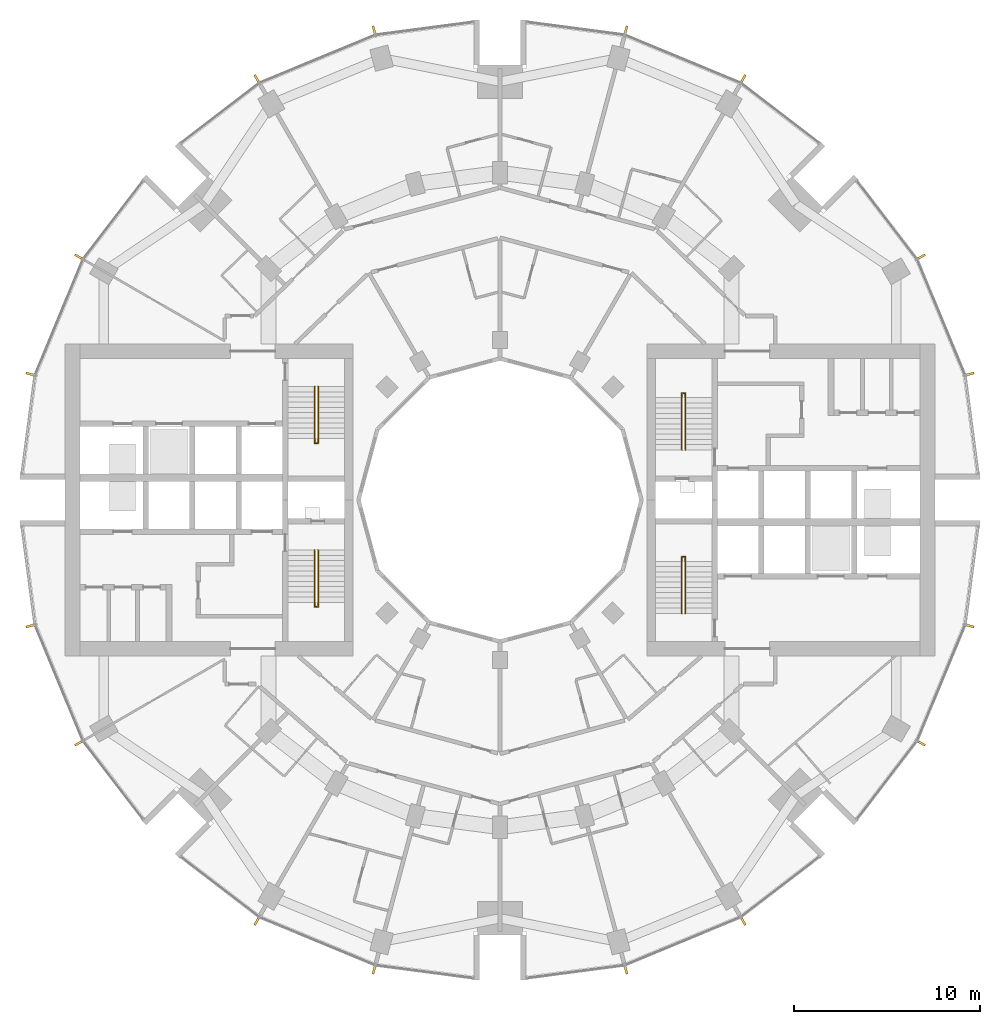
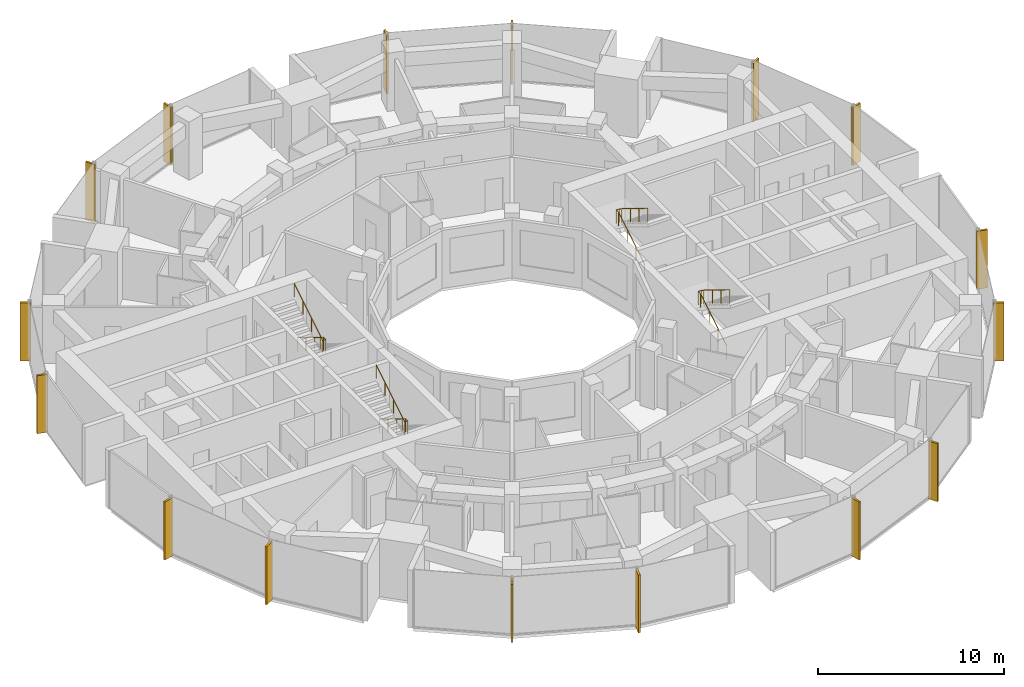
# One storey, part 14 of 15: 16 shading devices, 4 railings.
"""IFC4 building model written with IfcOpenShell, lengths in metres."""

from ifc_helpers import new_model, si_unit, direction, frame, origin, origin_2d, place, context, subcontext, project, spatial, rectangle, circle, extrude, material, material_profile, profile_set, type_object, element, save


model = new_model("IFC4")

# Units and contexts
model_context = context("Model", 3, precision=1e-05, world=origin(), true_north=direction((0.0, 1.0)))
body_context = subcontext(model_context, "Body", "Model", "MODEL_VIEW")
ifc_project = project(units=[si_unit("LENGTHUNIT", "METRE"), si_unit("AREAUNIT", "SQUARE_METRE"), si_unit("VOLUMEUNIT", "CUBIC_METRE"), si_unit("PLANEANGLEUNIT", "RADIAN"), si_unit("MASSUNIT", "GRAM", prefix="KILO")], contexts=[model_context])

# Site, building, storey
site_placement = place(None, origin())
site = spatial("IfcSite", under=ifc_project, at=site_placement, CompositionType="ELEMENT")
building_placement = place(site_placement, origin())
building = spatial("IfcBuilding", under=site, at=building_placement, Name="Torre Brocal", CompositionType="ELEMENT")
storey_placement = place(building_placement, frame((0.0, 0.0, 51.60009765625)))
storey = spatial("IfcBuildingStorey", under=building, at=storey_placement, Name="L11", CompositionType="ELEMENT", Elevation=51.60009765625)

# Shading devices
ifc_material_1 = material(Name="Aluminium, black anodised", Category="aluminium")
ifc_material_profile = material_profile(ifc_material_1, rectangle(XDim=0.1201171875, YDim=0.60009765625, at=origin_2d()), Name="FIN 120X600 3800 HIGH")
ifc_profile_set = profile_set([ifc_material_profile], Name="Aluminium, black anodised")
shading_device_type = type_object("IfcShadingDeviceType", Name="FIN 120X600 3800 HIGH", PredefinedType="USERDEFINED", material=ifc_profile_set)
for number, where, z_axis, x_axis, name in (
    (1, (105.208984375, 81.754638671875, -0.150146484375), (0.0, 0.0, 1.0), (-0.258819045103, 0.965925826289, 0.0), "FIN"),
    (2, (102.601806640625, 88.049072265625, -0.150146484375), (0.0, 0.0, 1.0), (-0.5, 0.866025403784, 0.0), "FIN"),
    (3, (93.049072265625, 97.601806640625, -0.150146484375), (0.0, 0.0, 1.0), (-0.866025403784, 0.5, 0.0), "FIN"),
    (4, (86.754638671875, 100.208984375, -0.150146484375), (0.0, 0.0, 1.0), (-0.965925826289, 0.258819045103, 0.0), "FIN"),
    (5, (73.245361328125, 100.208984375, -0.150146484375), (0.0, 0.0, 1.0), (-0.965925826289, -0.258819045103, 0.0), "FIN"),
    (6, (66.950927734375, 97.601806640625, -0.150146484375), (0.0, 0.0, 1.0), (-0.866025403784, -0.5, 0.0), "FIN"),
    (7, (57.398193359375, 88.049072265625, -0.150146484375), (0.0, 0.0, 1.0), (-0.5, -0.866025403784, 0.0), "FIN"),
    (8, (54.791015625, 81.754638671875, -0.150146484375), (0.0, 0.0, 1.0), (-0.258819045103, -0.965925826289, 0.0), "FIN"),
    (9, (54.791015625, 68.245361328125, -0.150146484375), (0.0, 0.0, 1.0), (0.258819045103, -0.965925826289, 0.0), "FIN"),
    (10, (57.398193359375, 61.950927734375, -0.150146484375), (0.0, 0.0, 1.0), (0.5, -0.866025403784, 0.0), "FIN"),
    (11, (66.950927734375, 52.398193359375, -0.150146484375), (0.0, 0.0, 1.0), (0.866025403784, -0.5, 0.0), "FIN"),
    (12, (73.245361328125, 49.791015625, -0.150146484375), (0.0, 0.0, 1.0), (0.965925826289, -0.258819045103, 0.0), "FIN"),
    (13, (86.754638671875, 49.791015625, -0.150146484375), (0.0, 0.0, 1.0), (0.965925826289, 0.258819045103, 0.0), "FIN"),
    (14, (93.049072265625, 52.398193359375, -0.150146484375), (0.0, 0.0, 1.0), (0.866025403784, 0.5, 0.0), "FIN"),
    (15, (102.601806640625, 61.950927734375, -0.150146484375), (0.0, 0.0, 1.0), (0.5, 0.866025403784, 0.0), "FIN"),
    (16, (105.208984375, 68.245361328125, -0.150146484375), (0.0, 0.0, 1.0), (0.258819045103, 0.965925826289, 0.0), "FIN"),
):
    element("IfcShadingDevice", number, at=place(storey_placement, frame(where, z_axis=z_axis, x_axis=x_axis)), inside=storey, type_object=shading_device_type, Name=name, ObjectType="FIN", PredefinedType="USERDEFINED", context=body_context, shape_type="SweptSolid", body=[
        extrude(rectangle(XDim=0.1201171875, YDim=0.60009765625, at=origin_2d()), origin(), (0.0, 0.0, 1.0), 3.800048828125),
    ])

# Railings
ifc_material_2 = material(Name="Stainless steel AISI 316", Category="steel")
railing_type = type_object("IfcRailingType", Name="STAIR HANDRAIL", PredefinedType="HANDRAIL", material=ifc_material_2)
railing_1_placement = place(storey_placement, frame((89.780029296875, 77.699951171875, 0.172607421875)))
element("IfcRailing", 17, at=railing_1_placement, inside=storey, type_object=railing_type, Name="HANDRAIL ST1", PredefinedType="HANDRAIL", context=body_context, shape_type="SweptSolid", body=[
    extrude(circle(Radius=0.02392578125, at=origin_2d()), frame((0.0, 0.0, 0.8759765625), z_axis=(0.0, 0.851089632645, 0.525020415988), x_axis=(-1.0, 0.0, 0.0)), (0.0, 0.0, 1.0), 3.2900390625),
    extrude(circle(Radius=0.02392578125, at=origin_2d()), frame((0.0, 2.800048828125, 2.60302734375), z_axis=(0.0, 1.0, 0.0), x_axis=(-1.0, 0.0, 0.0)), (0.0, 0.0, 1.0), 0.25),
    extrude(circle(Radius=0.02392578125, at=origin_2d()), frame((0.0, 3.050048828125, 2.60302734375), z_axis=(1.0, 0.0, 0.0), x_axis=(0.0, 1.0, 0.0)), (0.0, 0.0, 1.0), 0.18994140625),
    extrude(circle(Radius=0.02392578125, at=origin_2d()), frame((0.18994140625, 3.050048828125, 2.60302734375), z_axis=(0.0, -0.822914792866, 0.568164803277), x_axis=(1.0, 0.0, 0.0)), (0.0, 0.0, 1.0), 0.3037109375),
    extrude(circle(Radius=0.02392578125, at=origin_2d()), frame((0.18994140625, 2.800048828125, 2.77587890625), z_axis=(0.0, -0.851089632645, 0.525020415988), x_axis=(1.0, 0.0, 0.0)), (0.0, 0.0, 1.0), 3.2900390625),
    extrude(circle(Radius=0.02099609375, at=origin_2d()), origin(), (0.0, 0.0, 1.0), 0.851806640625),
    extrude(circle(Radius=0.02099609375, at=origin_2d()), frame((0.0, 0.933349609375, 0.57568359375)), (0.0, 0.0, 1.0), 0.851806640625),
    extrude(circle(Radius=0.02099609375, at=origin_2d()), frame((0.0, 1.86669921875, 1.151611328125)), (0.0, 0.0, 1.0), 0.851806640625),
    extrude(circle(Radius=0.02099609375, at=origin_2d()), frame((0.0, 2.800048828125, 1.727294921875)), (0.0, 0.0, 1.0), 0.851806640625),
    extrude(circle(Radius=0.02099609375, at=origin_2d()), frame((0.0, 3.050048828125, 1.727294921875)), (0.0, 0.0, 1.0), 0.851806640625),
    extrude(circle(Radius=0.02099609375, at=origin_2d()), frame((0.18994140625, 3.050048828125, 1.727294921875)), (0.0, 0.0, 1.0), 0.851806640625),
    extrude(circle(Radius=0.02099609375, at=origin_2d()), frame((0.18994140625, 2.800048828125, 1.89990234375)), (0.0, 0.0, 1.0), 0.851806640625),
    extrude(circle(Radius=0.02099609375, at=origin_2d()), frame((0.18994140625, 1.86669921875, 2.4755859375)), (0.0, 0.0, 1.0), 0.851806640625),
    extrude(circle(Radius=0.02099609375, at=origin_2d()), frame((0.18994140625, 0.933349609375, 3.051513671875)), (0.0, 0.0, 1.0), 0.851806640625),
    extrude(circle(Radius=0.02099609375, at=origin_2d()), frame((0.18994140625, 0.0, 3.627197265625)), (0.0, 0.0, 1.0), 0.851806640625),
])
railing_2_placement = place(storey_placement, frame((89.780029296875, 68.89990234375, 0.172607421875)))
element("IfcRailing", 18, at=railing_2_placement, inside=storey, type_object=railing_type, Name="HANDRAIL ST2", PredefinedType="HANDRAIL", context=body_context, shape_type="SweptSolid", body=[
    extrude(circle(Radius=0.02392578125, at=origin_2d()), frame((0.0, 0.0, 0.8759765625), z_axis=(0.0, 0.851089632645, 0.525020415988), x_axis=(-1.0, 0.0, 0.0)), (0.0, 0.0, 1.0), 3.2900390625),
    extrude(circle(Radius=0.02392578125, at=origin_2d()), frame((0.0, 2.800048828125, 2.60302734375), z_axis=(0.0, 1.0, 0.0), x_axis=(-1.0, 0.0, 0.0)), (0.0, 0.0, 1.0), 0.25),
    extrude(circle(Radius=0.02392578125, at=origin_2d()), frame((0.0, 3.050048828125, 2.60302734375), z_axis=(1.0, 0.0, 0.0), x_axis=(0.0, 1.0, 0.0)), (0.0, 0.0, 1.0), 0.18994140625),
    extrude(circle(Radius=0.02392578125, at=origin_2d()), frame((0.18994140625, 3.050048828125, 2.60302734375), z_axis=(0.0, -0.822914792866, 0.568164803277), x_axis=(1.0, 0.0, 0.0)), (0.0, 0.0, 1.0), 0.3037109375),
    extrude(circle(Radius=0.02392578125, at=origin_2d()), frame((0.18994140625, 2.800048828125, 2.77587890625), z_axis=(0.0, -0.851089632645, 0.525020415988), x_axis=(1.0, 0.0, 0.0)), (0.0, 0.0, 1.0), 3.2900390625),
    extrude(circle(Radius=0.02099609375, at=origin_2d()), origin(), (0.0, 0.0, 1.0), 0.851806640625),
    extrude(circle(Radius=0.02099609375, at=origin_2d()), frame((0.0, 0.933349609375, 0.57568359375)), (0.0, 0.0, 1.0), 0.851806640625),
    extrude(circle(Radius=0.02099609375, at=origin_2d()), frame((0.0, 1.86669921875, 1.151611328125)), (0.0, 0.0, 1.0), 0.851806640625),
    extrude(circle(Radius=0.02099609375, at=origin_2d()), frame((0.0, 2.800048828125, 1.727294921875)), (0.0, 0.0, 1.0), 0.851806640625),
    extrude(circle(Radius=0.02099609375, at=origin_2d()), frame((0.0, 3.050048828125, 1.727294921875)), (0.0, 0.0, 1.0), 0.851806640625),
    extrude(circle(Radius=0.02099609375, at=origin_2d()), frame((0.18994140625, 3.050048828125, 1.727294921875)), (0.0, 0.0, 1.0), 0.851806640625),
    extrude(circle(Radius=0.02099609375, at=origin_2d()), frame((0.18994140625, 2.800048828125, 1.89990234375)), (0.0, 0.0, 1.0), 0.851806640625),
    extrude(circle(Radius=0.02099609375, at=origin_2d()), frame((0.18994140625, 1.86669921875, 2.4755859375)), (0.0, 0.0, 1.0), 0.851806640625),
    extrude(circle(Radius=0.02099609375, at=origin_2d()), frame((0.18994140625, 0.933349609375, 3.051513671875)), (0.0, 0.0, 1.0), 0.851806640625),
    extrude(circle(Radius=0.02099609375, at=origin_2d()), frame((0.18994140625, 0.0, 3.627197265625)), (0.0, 0.0, 1.0), 0.851806640625),
])
railing_3_placement = place(storey_placement, frame((70.219970703125, 72.300048828125, 0.172607421875)))
element("IfcRailing", 19, at=railing_3_placement, inside=storey, type_object=railing_type, Name="HANDRAIL ST3", PredefinedType="HANDRAIL", context=body_context, shape_type="SweptSolid", body=[
    extrude(circle(Radius=0.02392578125, at=origin_2d()), frame((0.0, 0.0, 0.8759765625), z_axis=(0.0, -0.851089632645, 0.525020415988), x_axis=(1.0, 0.0, 0.0)), (0.0, 0.0, 1.0), 3.2900390625),
    extrude(circle(Radius=0.02392578125, at=origin_2d()), frame((0.0, -2.800048828125, 2.60302734375), z_axis=(0.0, -1.0, 0.0), x_axis=(1.0, 0.0, 0.0)), (0.0, 0.0, 1.0), 0.25),
    extrude(circle(Radius=0.02392578125, at=origin_2d()), frame((0.0, -3.050048828125, 2.60302734375), z_axis=(-1.0, 0.0, 0.0), x_axis=(0.0, -1.0, 0.0)), (0.0, 0.0, 1.0), 0.18994140625),
    extrude(circle(Radius=0.02392578125, at=origin_2d()), frame((-0.18994140625, -3.050048828125, 2.60302734375), z_axis=(0.0, 0.822914792866, 0.568164803277), x_axis=(-1.0, 0.0, 0.0)), (0.0, 0.0, 1.0), 0.3037109375),
    extrude(circle(Radius=0.02392578125, at=origin_2d()), frame((-0.18994140625, -2.800048828125, 2.77587890625), z_axis=(0.0, 0.851089632645, 0.525020415988), x_axis=(-1.0, 0.0, 0.0)), (0.0, 0.0, 1.0), 3.2900390625),
    extrude(circle(Radius=0.02099609375, at=origin_2d()), origin(), (0.0, 0.0, 1.0), 0.851806640625),
    extrude(circle(Radius=0.02099609375, at=origin_2d()), frame((0.0, -0.933349609375, 0.57568359375)), (0.0, 0.0, 1.0), 0.851806640625),
    extrude(circle(Radius=0.02099609375, at=origin_2d()), frame((0.0, -1.86669921875, 1.151611328125)), (0.0, 0.0, 1.0), 0.851806640625),
    extrude(circle(Radius=0.02099609375, at=origin_2d()), frame((0.0, -2.800048828125, 1.727294921875)), (0.0, 0.0, 1.0), 0.851806640625),
    extrude(circle(Radius=0.02099609375, at=origin_2d()), frame((0.0, -3.050048828125, 1.727294921875)), (0.0, 0.0, 1.0), 0.851806640625),
    extrude(circle(Radius=0.02099609375, at=origin_2d()), frame((-0.18994140625, -3.050048828125, 1.727294921875)), (0.0, 0.0, 1.0), 0.851806640625),
    extrude(circle(Radius=0.02099609375, at=origin_2d()), frame((-0.18994140625, -2.800048828125, 1.89990234375)), (0.0, 0.0, 1.0), 0.851806640625),
    extrude(circle(Radius=0.02099609375, at=origin_2d()), frame((-0.18994140625, -1.86669921875, 2.4755859375)), (0.0, 0.0, 1.0), 0.851806640625),
    extrude(circle(Radius=0.02099609375, at=origin_2d()), frame((-0.18994140625, -0.933349609375, 3.051513671875)), (0.0, 0.0, 1.0), 0.851806640625),
    extrude(circle(Radius=0.02099609375, at=origin_2d()), frame((-0.18994140625, 0.0, 3.627197265625)), (0.0, 0.0, 1.0), 0.851806640625),
])
railing_4_placement = place(storey_placement, frame((70.219970703125, 81.10009765625, 0.172607421875)))
element("IfcRailing", 20, at=railing_4_placement, inside=storey, type_object=railing_type, Name="HANDRAIL ST4", PredefinedType="HANDRAIL", context=body_context, shape_type="SweptSolid", body=[
    extrude(circle(Radius=0.02392578125, at=origin_2d()), frame((0.0, 0.0, 0.8759765625), z_axis=(0.0, -0.851089632645, 0.525020415988), x_axis=(1.0, 0.0, 0.0)), (0.0, 0.0, 1.0), 3.2900390625),
    extrude(circle(Radius=0.02392578125, at=origin_2d()), frame((0.0, -2.800048828125, 2.60302734375), z_axis=(0.0, -1.0, 0.0), x_axis=(1.0, 0.0, 0.0)), (0.0, 0.0, 1.0), 0.25),
    extrude(circle(Radius=0.02392578125, at=origin_2d()), frame((0.0, -3.050048828125, 2.60302734375), z_axis=(-1.0, 0.0, 0.0), x_axis=(0.0, -1.0, 0.0)), (0.0, 0.0, 1.0), 0.18994140625),
    extrude(circle(Radius=0.02392578125, at=origin_2d()), frame((-0.18994140625, -3.050048828125, 2.60302734375), z_axis=(0.0, 0.822914792866, 0.568164803277), x_axis=(-1.0, 0.0, 0.0)), (0.0, 0.0, 1.0), 0.3037109375),
    extrude(circle(Radius=0.02392578125, at=origin_2d()), frame((-0.18994140625, -2.800048828125, 2.77587890625), z_axis=(0.0, 0.851089632645, 0.525020415988), x_axis=(-1.0, 0.0, 0.0)), (0.0, 0.0, 1.0), 3.2900390625),
    extrude(circle(Radius=0.02099609375, at=origin_2d()), origin(), (0.0, 0.0, 1.0), 0.851806640625),
    extrude(circle(Radius=0.02099609375, at=origin_2d()), frame((0.0, -0.933349609375, 0.57568359375)), (0.0, 0.0, 1.0), 0.851806640625),
    extrude(circle(Radius=0.02099609375, at=origin_2d()), frame((0.0, -1.86669921875, 1.151611328125)), (0.0, 0.0, 1.0), 0.851806640625),
    extrude(circle(Radius=0.02099609375, at=origin_2d()), frame((0.0, -2.800048828125, 1.727294921875)), (0.0, 0.0, 1.0), 0.851806640625),
    extrude(circle(Radius=0.02099609375, at=origin_2d()), frame((0.0, -3.050048828125, 1.727294921875)), (0.0, 0.0, 1.0), 0.851806640625),
    extrude(circle(Radius=0.02099609375, at=origin_2d()), frame((-0.18994140625, -3.050048828125, 1.727294921875)), (0.0, 0.0, 1.0), 0.851806640625),
    extrude(circle(Radius=0.02099609375, at=origin_2d()), frame((-0.18994140625, -2.800048828125, 1.89990234375)), (0.0, 0.0, 1.0), 0.851806640625),
    extrude(circle(Radius=0.02099609375, at=origin_2d()), frame((-0.18994140625, -1.86669921875, 2.4755859375)), (0.0, 0.0, 1.0), 0.851806640625),
    extrude(circle(Radius=0.02099609375, at=origin_2d()), frame((-0.18994140625, -0.933349609375, 3.051513671875)), (0.0, 0.0, 1.0), 0.851806640625),
    extrude(circle(Radius=0.02099609375, at=origin_2d()), frame((-0.18994140625, 0.0, 3.627197265625)), (0.0, 0.0, 1.0), 0.851806640625),
])

save(model, "model.ifc")
